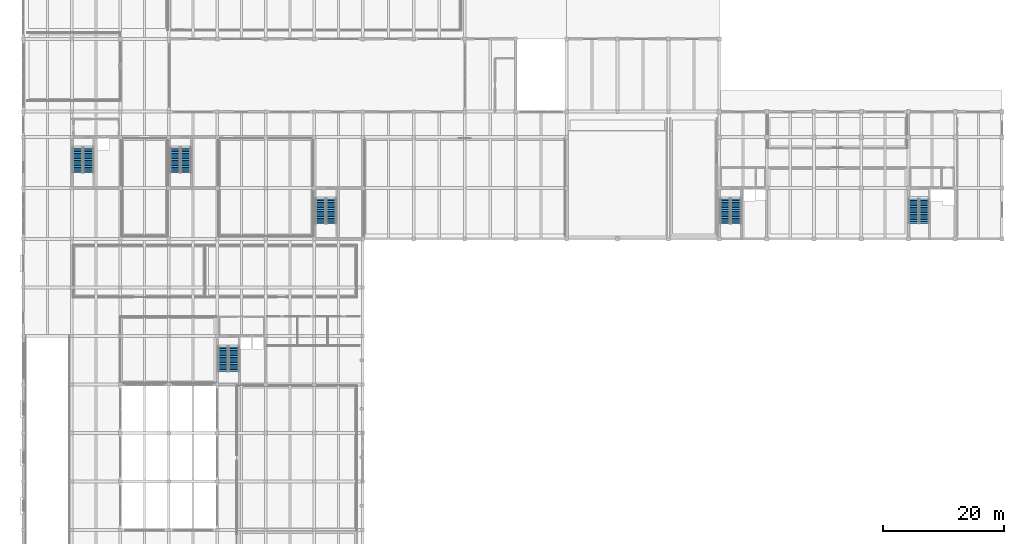
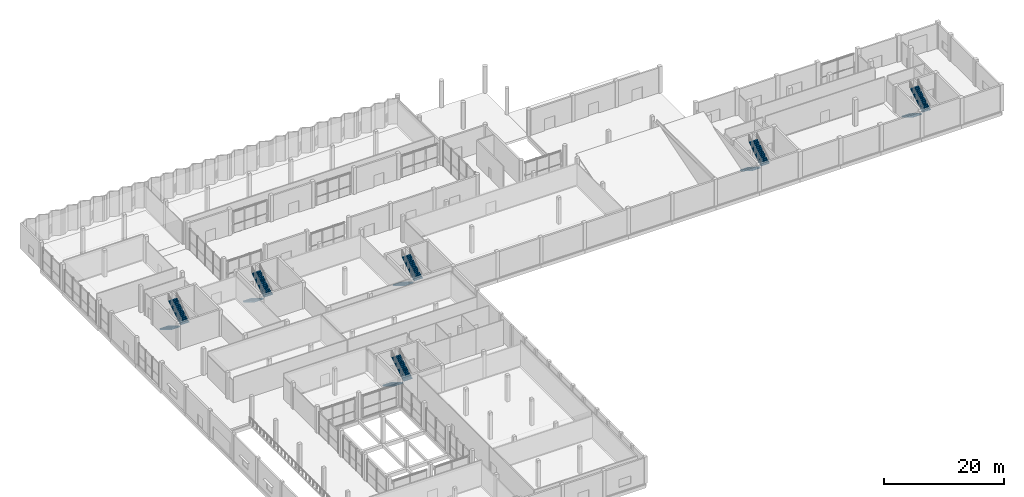
# One storey, part 33 of 41: 12 stair flights, 6 elements without a shape of their own.
"""IFC4 building model written with IfcOpenShell, lengths in metres."""

from ifc_helpers import new_model, si_unit, direction, frame, origin, place, context, subcontext, project, spatial, polyline, outline, extrude, material, type_object, element, aggregate, save


model = new_model("IFC4")

# Units and contexts
model_context = context("Model", 3, precision=1e-05, world=origin(), true_north=direction((0.0, 1.0)))
body_context = subcontext(model_context, "Body", "Model", "MODEL_VIEW")
ifc_project = project(units=[si_unit("LENGTHUNIT", "METRE"), si_unit("AREAUNIT", "SQUARE_METRE"), si_unit("VOLUMEUNIT", "CUBIC_METRE"), si_unit("PLANEANGLEUNIT", "RADIAN"), si_unit("MASSUNIT", "GRAM", prefix="KILO")], contexts=[model_context])

# Site, building, storey
site_placement = place(None, origin())
site = spatial("IfcSite", under=ifc_project, at=site_placement, CompositionType="ELEMENT")
building_placement = place(site_placement, origin())
building = spatial("IfcBuilding", under=site, at=building_placement, Name="Vharandega Faculty of Natural Sciences", CompositionType="ELEMENT")
storey_placement = place(building_placement, origin())
storey = spatial("IfcBuildingStorey", under=building, at=storey_placement, Name="L00", CompositionType="ELEMENT", Elevation=0.0)

# Stair, stair flights
ifc_material_1 = material(Name="Concrete C40/50", Category="concrete")
stair_type_1 = type_object("IfcStairType", Name="Escape Dog-Leg Stair W160 H540", PredefinedType="HALF_TURN_STAIR", material=ifc_material_1)
stair_1_placement = place(storey_placement, origin())
stair_1 = element("IfcStair", 1, at=stair_1_placement, inside=storey, type_object=stair_type_1, Name="L00 Escape Stair ST2", PredefinedType="HALF_TURN_STAIR")
ifc_material_2 = material(Name="Concrete C40/50", Category="concrete")
stair_flight_type_1 = type_object("IfcStairFlightType", Name="Precast Stair Flight W160 H540", PredefinedType="STRAIGHT", material=ifc_material_2)
stair_flight_1_placement = place(storey_placement, frame((146.860107421875, 70.659912109375, 0.0), z_axis=(0.0, 0.0, 1.0), x_axis=(0.0, -1.0, 0.0)))
stair_flight_1 = element("IfcStairFlight", 2, at=stair_flight_1_placement, type_object=stair_flight_type_1, Name="ST2 flight 1", NumberOfRisers=15, NumberOfTreads=14, PredefinedType="STRAIGHT", RiserHeight=0.18, TreadLength=0.29, context=body_context, shape_type="SweptSolid", body=[
    extrude(outline(polyline([(0.0, 0.0), (0.0, 0.179931640625), (0.2900390625, 0.179931640625), (0.2900390625, 0.360107421875), (0.580078125, 0.360107421875), (0.580078125, 0.5400390625), (0.8701171875, 0.5400390625), (0.8701171875, 0.719970703125), (1.159912109375, 0.719970703125), (1.159912109375, 0.89990234375), (1.449951171875, 0.89990234375), (1.449951171875, 1.080078125), (1.739990234375, 1.080078125), (1.739990234375, 1.260009765625), (2.030029296875, 1.260009765625), (2.030029296875, 1.43994140625), (2.320068359375, 1.43994140625), (2.320068359375, 1.6201171875), (2.610107421875, 1.6201171875), (2.610107421875, 1.800048828125), (2.89990234375, 1.800048828125), (2.89990234375, 1.97998046875), (3.18994140625, 1.97998046875), (3.18994140625, 2.159912109375), (3.47998046875, 2.159912109375), (3.47998046875, 2.340087890625), (3.77001953125, 2.340087890625), (3.77001953125, 2.52001953125), (4.06005859375, 2.52001953125), (4.06005859375, 2.699951171875), (4.06005859375, 2.343505859375), (0.2841796875, 0.0), (0.0, 0.0)])), frame((0.0, 0.800048828125, 0.0), z_axis=(0.0, -1.0, 0.0), x_axis=(1.0, 0.0, 0.0)), (0.0, 0.0, 1.0), 1.60009765625),
])
stair_flight_2_placement = place(storey_placement, frame((148.580078125, 66.60009765625, 2.699951171875), z_axis=(0.0, 0.0, 1.0), x_axis=(0.0, 1.0, 0.0)))
stair_flight_2 = element("IfcStairFlight", 3, at=stair_flight_2_placement, type_object=stair_flight_type_1, Name="ST2 flight 2", NumberOfRisers=15, NumberOfTreads=14, PredefinedType="STRAIGHT", RiserHeight=0.18, TreadLength=0.29, context=body_context, shape_type="SweptSolid", body=[
    extrude(outline(polyline([(0.0, 0.0), (0.0, 0.179931640625), (0.2900390625, 0.179931640625), (0.2900390625, 0.360107421875), (0.580078125, 0.360107421875), (0.580078125, 0.5400390625), (0.8701171875, 0.5400390625), (0.8701171875, 0.719970703125), (1.159912109375, 0.719970703125), (1.159912109375, 0.89990234375), (1.449951171875, 0.89990234375), (1.449951171875, 1.080078125), (1.739990234375, 1.080078125), (1.739990234375, 1.260009765625), (2.030029296875, 1.260009765625), (2.030029296875, 1.43994140625), (2.320068359375, 1.43994140625), (2.320068359375, 1.6201171875), (2.610107421875, 1.6201171875), (2.610107421875, 1.800048828125), (2.89990234375, 1.800048828125), (2.89990234375, 1.97998046875), (3.18994140625, 1.97998046875), (3.18994140625, 2.159912109375), (3.47998046875, 2.159912109375), (3.47998046875, 2.340087890625), (3.77001953125, 2.340087890625), (3.77001953125, 2.52001953125), (4.06005859375, 2.52001953125), (4.06005859375, 2.699951171875), (4.06005859375, 2.343505859375), (0.2841796875, 0.0), (0.0, 0.0)])), frame((0.0, 0.800048828125, 0.0), z_axis=(0.0, -1.0, 0.0), x_axis=(1.0, 0.0, 0.0)), (0.0, 0.0, 1.0), 1.60009765625),
])
aggregate(stair_1, [stair_flight_1, stair_flight_2])

ifc_material_3 = material(Name="Concrete C40/50", Category="concrete")
stair_type_2 = type_object("IfcStairType", Name="Escape Dog-Leg Stair W165 H540", PredefinedType="HALF_TURN_STAIR", material=ifc_material_3)
stair_2_placement = place(storey_placement, origin())
stair_2 = element("IfcStair", 4, at=stair_2_placement, inside=storey, type_object=stair_type_2, Name="L00 Escape Stair ST1", PredefinedType="HALF_TURN_STAIR")
ifc_material_4 = material(Name="Concrete C40/50", Category="concrete")
stair_flight_type_2 = type_object("IfcStairFlightType", Name="Precast Stair Flight W165 H540", PredefinedType="STRAIGHT", material=ifc_material_4)
stair_flight_3_placement = place(storey_placement, frame((115.764892578125, 70.610107421875, 0.0), z_axis=(0.0, 0.0, 1.0), x_axis=(0.0, -1.0, 0.0)))
stair_flight_3 = element("IfcStairFlight", 5, at=stair_flight_3_placement, type_object=stair_flight_type_2, Name="ST1 flight 1", NumberOfRisers=15, NumberOfTreads=14, PredefinedType="STRAIGHT", RiserHeight=0.18, TreadLength=0.29, context=body_context, shape_type="SweptSolid", body=[
    extrude(outline(polyline([(0.0, 0.0), (0.0, 0.179931640625), (0.2900390625, 0.179931640625), (0.2900390625, 0.360107421875), (0.580078125, 0.360107421875), (0.580078125, 0.5400390625), (0.8701171875, 0.5400390625), (0.8701171875, 0.719970703125), (1.159912109375, 0.719970703125), (1.159912109375, 0.89990234375), (1.449951171875, 0.89990234375), (1.449951171875, 1.080078125), (1.739990234375, 1.080078125), (1.739990234375, 1.260009765625), (2.030029296875, 1.260009765625), (2.030029296875, 1.43994140625), (2.320068359375, 1.43994140625), (2.320068359375, 1.6201171875), (2.610107421875, 1.6201171875), (2.610107421875, 1.800048828125), (2.89990234375, 1.800048828125), (2.89990234375, 1.97998046875), (3.18994140625, 1.97998046875), (3.18994140625, 2.159912109375), (3.47998046875, 2.159912109375), (3.47998046875, 2.340087890625), (3.77001953125, 2.340087890625), (3.77001953125, 2.52001953125), (4.06005859375, 2.52001953125), (4.06005859375, 2.699951171875), (4.06005859375, 2.343505859375), (0.2841796875, 0.0), (0.0, 0.0)])), frame((0.0, 0.824951171875, 0.0), z_axis=(0.0, -1.0, 0.0), x_axis=(1.0, 0.0, 0.0)), (0.0, 0.0, 1.0), 1.64990234375),
])
stair_flight_4_placement = place(storey_placement, frame((117.534912109375, 66.550048828125, 2.699951171875), z_axis=(0.0, 0.0, 1.0), x_axis=(0.0, 1.0, 0.0)))
stair_flight_4 = element("IfcStairFlight", 6, at=stair_flight_4_placement, type_object=stair_flight_type_2, Name="ST1 flight 2", NumberOfRisers=15, NumberOfTreads=14, PredefinedType="STRAIGHT", RiserHeight=0.18, TreadLength=0.29, context=body_context, shape_type="SweptSolid", body=[
    extrude(outline(polyline([(0.0, 0.0), (0.0, 0.179931640625), (0.2900390625, 0.179931640625), (0.2900390625, 0.360107421875), (0.580078125, 0.360107421875), (0.580078125, 0.5400390625), (0.8701171875, 0.5400390625), (0.8701171875, 0.719970703125), (1.159912109375, 0.719970703125), (1.159912109375, 0.89990234375), (1.449951171875, 0.89990234375), (1.449951171875, 1.080078125), (1.739990234375, 1.080078125), (1.739990234375, 1.260009765625), (2.030029296875, 1.260009765625), (2.030029296875, 1.43994140625), (2.320068359375, 1.43994140625), (2.320068359375, 1.6201171875), (2.610107421875, 1.6201171875), (2.610107421875, 1.800048828125), (2.89990234375, 1.800048828125), (2.89990234375, 1.97998046875), (3.18994140625, 1.97998046875), (3.18994140625, 2.159912109375), (3.47998046875, 2.159912109375), (3.47998046875, 2.340087890625), (3.77001953125, 2.340087890625), (3.77001953125, 2.52001953125), (4.06005859375, 2.52001953125), (4.06005859375, 2.699951171875), (4.06005859375, 2.343505859375), (0.2841796875, 0.0), (0.0, 0.0)])), frame((0.0, 0.824951171875, 0.0), z_axis=(0.0, -1.0, 0.0), x_axis=(1.0, 0.0, 0.0)), (0.0, 0.0, 1.0), 1.64990234375),
])
aggregate(stair_2, [stair_flight_3, stair_flight_4])

stair_3_placement = place(storey_placement, origin())
stair_3 = element("IfcStair", 7, at=stair_3_placement, inside=storey, type_object=stair_type_2, Name="L00 Escape Stair ST3", PredefinedType="HALF_TURN_STAIR")
stair_flight_5_placement = place(storey_placement, frame((32.965087890625, 46.2099609375, 0.0), z_axis=(0.0, 0.0, 1.0), x_axis=(0.0, -1.0, 0.0)))
stair_flight_5 = element("IfcStairFlight", 8, at=stair_flight_5_placement, type_object=stair_flight_type_2, Name="ST3 flight 1", NumberOfRisers=15, NumberOfTreads=14, PredefinedType="STRAIGHT", RiserHeight=0.18, TreadLength=0.29, context=body_context, shape_type="SweptSolid", body=[
    extrude(outline(polyline([(0.0, 0.0), (0.0, 0.179931640625), (0.2900390625, 0.179931640625), (0.2900390625, 0.360107421875), (0.580078125, 0.360107421875), (0.580078125, 0.5400390625), (0.8701171875, 0.5400390625), (0.8701171875, 0.719970703125), (1.159912109375, 0.719970703125), (1.159912109375, 0.89990234375), (1.449951171875, 0.89990234375), (1.449951171875, 1.080078125), (1.739990234375, 1.080078125), (1.739990234375, 1.260009765625), (2.030029296875, 1.260009765625), (2.030029296875, 1.43994140625), (2.320068359375, 1.43994140625), (2.320068359375, 1.6201171875), (2.610107421875, 1.6201171875), (2.610107421875, 1.800048828125), (2.89990234375, 1.800048828125), (2.89990234375, 1.97998046875), (3.18994140625, 1.97998046875), (3.18994140625, 2.159912109375), (3.47998046875, 2.159912109375), (3.47998046875, 2.340087890625), (3.77001953125, 2.340087890625), (3.77001953125, 2.52001953125), (4.06005859375, 2.52001953125), (4.06005859375, 2.699951171875), (4.06005859375, 2.343505859375), (0.2841796875, 0.0), (0.0, 0.0)])), frame((0.0, 0.824951171875, 0.0), z_axis=(0.0, -1.0, 0.0), x_axis=(1.0, 0.0, 0.0)), (0.0, 0.0, 1.0), 1.64990234375),
])
stair_flight_6_placement = place(storey_placement, frame((34.735107421875, 42.14990234375, 2.699951171875), z_axis=(0.0, 0.0, 1.0), x_axis=(0.0, 1.0, 0.0)))
stair_flight_6 = element("IfcStairFlight", 9, at=stair_flight_6_placement, type_object=stair_flight_type_2, Name="ST3 flight 2", NumberOfRisers=15, NumberOfTreads=14, PredefinedType="STRAIGHT", RiserHeight=0.18, TreadLength=0.29, context=body_context, shape_type="SweptSolid", body=[
    extrude(outline(polyline([(0.0, 0.0), (0.0, 0.179931640625), (0.2900390625, 0.179931640625), (0.2900390625, 0.360107421875), (0.580078125, 0.360107421875), (0.580078125, 0.5400390625), (0.8701171875, 0.5400390625), (0.8701171875, 0.719970703125), (1.159912109375, 0.719970703125), (1.159912109375, 0.89990234375), (1.449951171875, 0.89990234375), (1.449951171875, 1.080078125), (1.739990234375, 1.080078125), (1.739990234375, 1.260009765625), (2.030029296875, 1.260009765625), (2.030029296875, 1.43994140625), (2.320068359375, 1.43994140625), (2.320068359375, 1.6201171875), (2.610107421875, 1.6201171875), (2.610107421875, 1.800048828125), (2.89990234375, 1.800048828125), (2.89990234375, 1.97998046875), (3.18994140625, 1.97998046875), (3.18994140625, 2.159912109375), (3.47998046875, 2.159912109375), (3.47998046875, 2.340087890625), (3.77001953125, 2.340087890625), (3.77001953125, 2.52001953125), (4.06005859375, 2.52001953125), (4.06005859375, 2.699951171875), (4.06005859375, 2.343505859375), (0.2841796875, 0.0), (0.0, 0.0)])), frame((0.0, 0.824951171875, 0.0), z_axis=(0.0, -1.0, 0.0), x_axis=(1.0, 0.0, 0.0)), (0.0, 0.0, 1.0), 1.64990234375),
])
aggregate(stair_3, [stair_flight_5, stair_flight_6])

stair_4_placement = place(storey_placement, origin())
stair_4 = element("IfcStair", 10, at=stair_4_placement, inside=storey, type_object=stair_type_2, Name="L00 Escape Stair ST4", PredefinedType="HALF_TURN_STAIR")
stair_flight_7_placement = place(storey_placement, frame((8.965087890625, 79.010009765625, 0.0), z_axis=(0.0, 0.0, 1.0), x_axis=(0.0, -1.0, 0.0)))
stair_flight_7 = element("IfcStairFlight", 11, at=stair_flight_7_placement, type_object=stair_flight_type_2, Name="ST4 flight 1", NumberOfRisers=15, NumberOfTreads=14, PredefinedType="STRAIGHT", RiserHeight=0.18, TreadLength=0.29, context=body_context, shape_type="SweptSolid", body=[
    extrude(outline(polyline([(0.0, 0.0), (0.0, 0.179931640625), (0.2900390625, 0.179931640625), (0.2900390625, 0.360107421875), (0.580078125, 0.360107421875), (0.580078125, 0.5400390625), (0.8701171875, 0.5400390625), (0.8701171875, 0.719970703125), (1.159912109375, 0.719970703125), (1.159912109375, 0.89990234375), (1.449951171875, 0.89990234375), (1.449951171875, 1.080078125), (1.739990234375, 1.080078125), (1.739990234375, 1.260009765625), (2.030029296875, 1.260009765625), (2.030029296875, 1.43994140625), (2.320068359375, 1.43994140625), (2.320068359375, 1.6201171875), (2.610107421875, 1.6201171875), (2.610107421875, 1.800048828125), (2.89990234375, 1.800048828125), (2.89990234375, 1.97998046875), (3.18994140625, 1.97998046875), (3.18994140625, 2.159912109375), (3.47998046875, 2.159912109375), (3.47998046875, 2.340087890625), (3.77001953125, 2.340087890625), (3.77001953125, 2.52001953125), (4.06005859375, 2.52001953125), (4.06005859375, 2.699951171875), (4.06005859375, 2.343505859375), (0.2841796875, 0.0), (0.0, 0.0)])), frame((0.0, 0.824951171875, 0.0), z_axis=(0.0, -1.0, 0.0), x_axis=(1.0, 0.0, 0.0)), (0.0, 0.0, 1.0), 1.64990234375),
])
stair_flight_8_placement = place(storey_placement, frame((10.735107421875, 74.949951171875, 2.699951171875), z_axis=(0.0, 0.0, 1.0), x_axis=(0.0, 1.0, 0.0)))
stair_flight_8 = element("IfcStairFlight", 12, at=stair_flight_8_placement, type_object=stair_flight_type_2, Name="ST4 flight 2", NumberOfRisers=15, NumberOfTreads=14, PredefinedType="STRAIGHT", RiserHeight=0.18, TreadLength=0.29, context=body_context, shape_type="SweptSolid", body=[
    extrude(outline(polyline([(0.0, 0.0), (0.0, 0.179931640625), (0.2900390625, 0.179931640625), (0.2900390625, 0.360107421875), (0.580078125, 0.360107421875), (0.580078125, 0.5400390625), (0.8701171875, 0.5400390625), (0.8701171875, 0.719970703125), (1.159912109375, 0.719970703125), (1.159912109375, 0.89990234375), (1.449951171875, 0.89990234375), (1.449951171875, 1.080078125), (1.739990234375, 1.080078125), (1.739990234375, 1.260009765625), (2.030029296875, 1.260009765625), (2.030029296875, 1.43994140625), (2.320068359375, 1.43994140625), (2.320068359375, 1.6201171875), (2.610107421875, 1.6201171875), (2.610107421875, 1.800048828125), (2.89990234375, 1.800048828125), (2.89990234375, 1.97998046875), (3.18994140625, 1.97998046875), (3.18994140625, 2.159912109375), (3.47998046875, 2.159912109375), (3.47998046875, 2.340087890625), (3.77001953125, 2.340087890625), (3.77001953125, 2.52001953125), (4.06005859375, 2.52001953125), (4.06005859375, 2.699951171875), (4.06005859375, 2.343505859375), (0.2841796875, 0.0), (0.0, 0.0)])), frame((0.0, 0.824951171875, 0.0), z_axis=(0.0, -1.0, 0.0), x_axis=(1.0, 0.0, 0.0)), (0.0, 0.0, 1.0), 1.64990234375),
])
aggregate(stair_4, [stair_flight_7, stair_flight_8])

stair_5_placement = place(storey_placement, origin())
stair_5 = element("IfcStair", 13, at=stair_5_placement, inside=storey, type_object=stair_type_2, Name="L00 Escape Stair ST5", PredefinedType="HALF_TURN_STAIR")
stair_flight_9_placement = place(storey_placement, frame((49.02490234375, 70.610107421875, 0.0), z_axis=(0.0, 0.0, 1.0), x_axis=(0.0, -1.0, 0.0)))
stair_flight_9 = element("IfcStairFlight", 14, at=stair_flight_9_placement, type_object=stair_flight_type_2, Name="ST5 flight 1", NumberOfRisers=15, NumberOfTreads=14, PredefinedType="STRAIGHT", RiserHeight=0.18, TreadLength=0.29, context=body_context, shape_type="SweptSolid", body=[
    extrude(outline(polyline([(0.0, 0.0), (0.0, 0.179931640625), (0.2900390625, 0.179931640625), (0.2900390625, 0.360107421875), (0.580078125, 0.360107421875), (0.580078125, 0.5400390625), (0.8701171875, 0.5400390625), (0.8701171875, 0.719970703125), (1.159912109375, 0.719970703125), (1.159912109375, 0.89990234375), (1.449951171875, 0.89990234375), (1.449951171875, 1.080078125), (1.739990234375, 1.080078125), (1.739990234375, 1.260009765625), (2.030029296875, 1.260009765625), (2.030029296875, 1.43994140625), (2.320068359375, 1.43994140625), (2.320068359375, 1.6201171875), (2.610107421875, 1.6201171875), (2.610107421875, 1.800048828125), (2.89990234375, 1.800048828125), (2.89990234375, 1.97998046875), (3.18994140625, 1.97998046875), (3.18994140625, 2.159912109375), (3.47998046875, 2.159912109375), (3.47998046875, 2.340087890625), (3.77001953125, 2.340087890625), (3.77001953125, 2.52001953125), (4.06005859375, 2.52001953125), (4.06005859375, 2.699951171875), (4.06005859375, 2.343505859375), (0.2841796875, 0.0), (0.0, 0.0)])), frame((0.0, 0.824951171875, 0.0), z_axis=(0.0, -1.0, 0.0), x_axis=(1.0, 0.0, 0.0)), (0.0, 0.0, 1.0), 1.64990234375),
])
stair_flight_10_placement = place(storey_placement, frame((50.794921875, 66.550048828125, 2.699951171875), z_axis=(0.0, 0.0, 1.0), x_axis=(0.0, 1.0, 0.0)))
stair_flight_10 = element("IfcStairFlight", 15, at=stair_flight_10_placement, type_object=stair_flight_type_2, Name="ST5 flight 2", NumberOfRisers=15, NumberOfTreads=14, PredefinedType="STRAIGHT", RiserHeight=0.18, TreadLength=0.29, context=body_context, shape_type="SweptSolid", body=[
    extrude(outline(polyline([(0.0, 0.0), (0.0, 0.179931640625), (0.2900390625, 0.179931640625), (0.2900390625, 0.360107421875), (0.580078125, 0.360107421875), (0.580078125, 0.5400390625), (0.8701171875, 0.5400390625), (0.8701171875, 0.719970703125), (1.159912109375, 0.719970703125), (1.159912109375, 0.89990234375), (1.449951171875, 0.89990234375), (1.449951171875, 1.080078125), (1.739990234375, 1.080078125), (1.739990234375, 1.260009765625), (2.030029296875, 1.260009765625), (2.030029296875, 1.43994140625), (2.320068359375, 1.43994140625), (2.320068359375, 1.6201171875), (2.610107421875, 1.6201171875), (2.610107421875, 1.800048828125), (2.89990234375, 1.800048828125), (2.89990234375, 1.97998046875), (3.18994140625, 1.97998046875), (3.18994140625, 2.159912109375), (3.47998046875, 2.159912109375), (3.47998046875, 2.340087890625), (3.77001953125, 2.340087890625), (3.77001953125, 2.52001953125), (4.06005859375, 2.52001953125), (4.06005859375, 2.699951171875), (4.06005859375, 2.343505859375), (0.2841796875, 0.0), (0.0, 0.0)])), frame((0.0, 0.824951171875, 0.0), z_axis=(0.0, -1.0, 0.0), x_axis=(1.0, 0.0, 0.0)), (0.0, 0.0, 1.0), 1.64990234375),
])
aggregate(stair_5, [stair_flight_9, stair_flight_10])

stair_6_placement = place(storey_placement, origin())
stair_6 = element("IfcStair", 16, at=stair_6_placement, inside=storey, type_object=stair_type_2, Name="L00 Escape Stair ST6", PredefinedType="HALF_TURN_STAIR")
stair_flight_11_placement = place(storey_placement, frame((25.02490234375, 79.010009765625, 0.0), z_axis=(0.0, 0.0, 1.0), x_axis=(0.0, -1.0, 0.0)))
stair_flight_11 = element("IfcStairFlight", 17, at=stair_flight_11_placement, type_object=stair_flight_type_2, Name="ST6 flight 1", NumberOfRisers=15, NumberOfTreads=14, PredefinedType="STRAIGHT", RiserHeight=0.18, TreadLength=0.29, context=body_context, shape_type="SweptSolid", body=[
    extrude(outline(polyline([(0.0, 0.0), (0.0, 0.179931640625), (0.2900390625, 0.179931640625), (0.2900390625, 0.360107421875), (0.580078125, 0.360107421875), (0.580078125, 0.5400390625), (0.8701171875, 0.5400390625), (0.8701171875, 0.719970703125), (1.159912109375, 0.719970703125), (1.159912109375, 0.89990234375), (1.449951171875, 0.89990234375), (1.449951171875, 1.080078125), (1.739990234375, 1.080078125), (1.739990234375, 1.260009765625), (2.030029296875, 1.260009765625), (2.030029296875, 1.43994140625), (2.320068359375, 1.43994140625), (2.320068359375, 1.6201171875), (2.610107421875, 1.6201171875), (2.610107421875, 1.800048828125), (2.89990234375, 1.800048828125), (2.89990234375, 1.97998046875), (3.18994140625, 1.97998046875), (3.18994140625, 2.159912109375), (3.47998046875, 2.159912109375), (3.47998046875, 2.340087890625), (3.77001953125, 2.340087890625), (3.77001953125, 2.52001953125), (4.06005859375, 2.52001953125), (4.06005859375, 2.699951171875), (4.06005859375, 2.343505859375), (0.2841796875, 0.0), (0.0, 0.0)])), frame((0.0, 0.824951171875, 0.0), z_axis=(0.0, -1.0, 0.0), x_axis=(1.0, 0.0, 0.0)), (0.0, 0.0, 1.0), 1.64990234375),
])
stair_flight_12_placement = place(storey_placement, frame((26.794921875, 74.949951171875, 2.699951171875), z_axis=(0.0, 0.0, 1.0), x_axis=(0.0, 1.0, 0.0)))
stair_flight_12 = element("IfcStairFlight", 18, at=stair_flight_12_placement, type_object=stair_flight_type_2, Name="ST6 flight 2", NumberOfRisers=15, NumberOfTreads=14, PredefinedType="STRAIGHT", RiserHeight=0.18, TreadLength=0.29, context=body_context, shape_type="SweptSolid", body=[
    extrude(outline(polyline([(0.0, 0.0), (0.0, 0.179931640625), (0.2900390625, 0.179931640625), (0.2900390625, 0.360107421875), (0.580078125, 0.360107421875), (0.580078125, 0.5400390625), (0.8701171875, 0.5400390625), (0.8701171875, 0.719970703125), (1.159912109375, 0.719970703125), (1.159912109375, 0.89990234375), (1.449951171875, 0.89990234375), (1.449951171875, 1.080078125), (1.739990234375, 1.080078125), (1.739990234375, 1.260009765625), (2.030029296875, 1.260009765625), (2.030029296875, 1.43994140625), (2.320068359375, 1.43994140625), (2.320068359375, 1.6201171875), (2.610107421875, 1.6201171875), (2.610107421875, 1.800048828125), (2.89990234375, 1.800048828125), (2.89990234375, 1.97998046875), (3.18994140625, 1.97998046875), (3.18994140625, 2.159912109375), (3.47998046875, 2.159912109375), (3.47998046875, 2.340087890625), (3.77001953125, 2.340087890625), (3.77001953125, 2.52001953125), (4.06005859375, 2.52001953125), (4.06005859375, 2.699951171875), (4.06005859375, 2.343505859375), (0.2841796875, 0.0), (0.0, 0.0)])), frame((0.0, 0.824951171875, 0.0), z_axis=(0.0, -1.0, 0.0), x_axis=(1.0, 0.0, 0.0)), (0.0, 0.0, 1.0), 1.64990234375),
])
aggregate(stair_6, [stair_flight_11, stair_flight_12])

save(model, "model.ifc")
